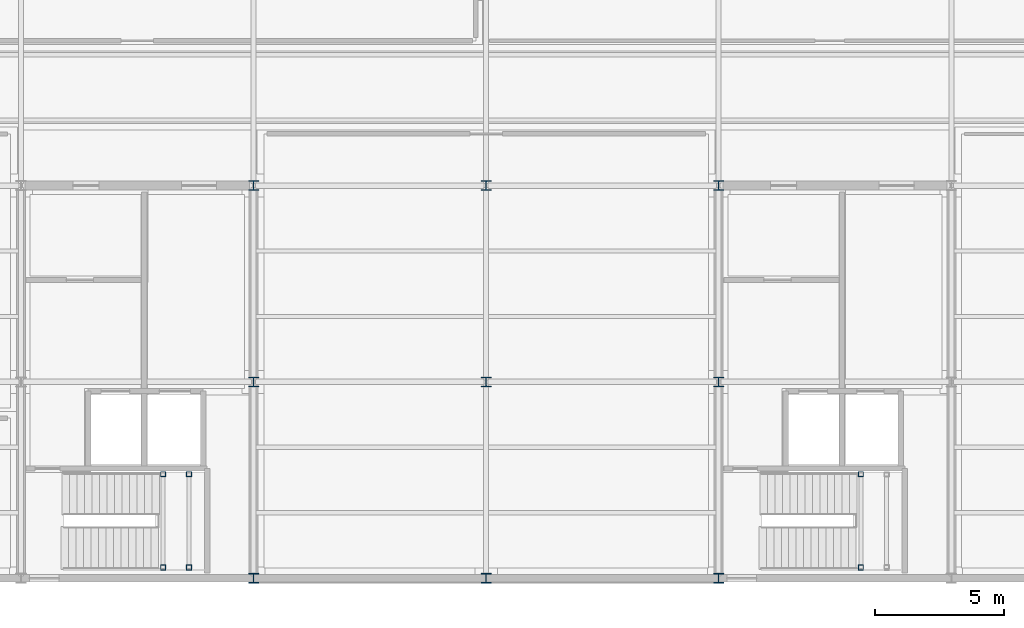
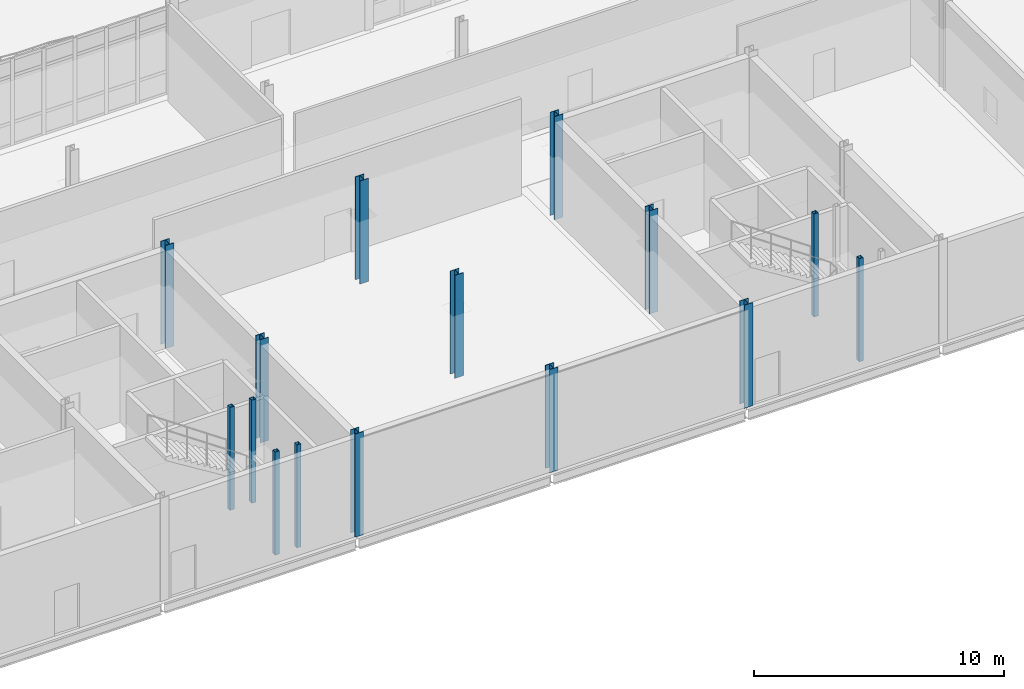
# One storey, part 10 of 161: 15 columns.
"""IFC4 building model written with IfcOpenShell, lengths in metres."""

from ifc_helpers import new_model, si_unit, direction, frame, origin, origin_2d, place, context, subcontext, project, spatial, hollow_rectangle, i_section, extrude, material, material_profile, profile_set, type_object, element, save


model = new_model("IFC4")

# Units and contexts
model_context = context("Model", 3, precision=1e-05, world=origin(), true_north=direction((0.0, 1.0)))
body_context = subcontext(model_context, "Body", "Model", "MODEL_VIEW")
ifc_project = project(units=[si_unit("LENGTHUNIT", "METRE"), si_unit("AREAUNIT", "SQUARE_METRE"), si_unit("VOLUMEUNIT", "CUBIC_METRE"), si_unit("PLANEANGLEUNIT", "RADIAN"), si_unit("MASSUNIT", "GRAM", prefix="KILO")], contexts=[model_context])

# Site, building, storey
site_placement = place(None, origin())
site = spatial("IfcSite", under=ifc_project, at=site_placement, CompositionType="ELEMENT")
building_placement = place(site_placement, origin())
building = spatial("IfcBuilding", under=site, at=building_placement, Name="Caisbarro Railhouse Central Library", CompositionType="ELEMENT")
storey_placement = place(building_placement, origin())
storey = spatial("IfcBuildingStorey", under=building, at=storey_placement, Name="L00", CompositionType="ELEMENT", Elevation=0.0)

# Columns
ifc_material = material(Name="Steel ASTM A572 Grade 50", Category="steel")
ifc_material_profile_1 = material_profile(ifc_material, i_section(OverallWidth=0.39404296875, OverallDepth=0.375, WebThickness=0.017333984375, FlangeThickness=0.027587890625, FilletRadius=0.01806640625, at=origin_2d()), Name="W360X216.0")
ifc_profile_set_1 = profile_set([ifc_material_profile_1], Name="Steel ASTM A572 Grade 50")
column_type_1 = type_object("IfcColumnType", Name="COL-C01", PredefinedType="COLUMN", material=ifc_profile_set_1)
for number, where, z_axis, x_axis, name in (
    (1, (72.0, 0.0, 0.0), (0.0, 0.0, 1.0), (1.0, 0.0, 0.0), "C01 column L00 (72.0,0.0)"),
    (2, (72.0, 7.60009765625, 0.0), (0.0, 0.0, 1.0), (1.0, 0.0, 0.0), "C01 column L00 (72.0,7.6)"),
    (3, (72.0, 15.199951171875, 0.0), (0.0, 0.0, 1.0), (1.0, 0.0, 0.0), "C01 column L00 (72.0,15.2)"),
    (4, (81.0, 0.0, 0.0), (0.0, 0.0, 1.0), (1.0, 0.0, 0.0), "C01 column L00 (81.0,0.0)"),
    (5, (81.0, 7.60009765625, 0.0), (0.0, 0.0, 1.0), (1.0, 0.0, 0.0), "C01 column L00 (81.0,7.6)"),
    (6, (81.0, 15.199951171875, 0.0), (0.0, 0.0, 1.0), (1.0, 0.0, 0.0), "C01 column L00 (81.0,15.2)"),
    (7, (90.0, 0.0, 0.0), (0.0, 0.0, 1.0), (1.0, 0.0, 0.0), "C01 column L00 (90.0,0.0)"),
    (8, (90.0, 7.60009765625, 0.0), (0.0, 0.0, 1.0), (1.0, 0.0, 0.0), "C01 column L00 (90.0,7.6)"),
    (9, (90.0, 15.199951171875, 0.0), (0.0, 0.0, 1.0), (1.0, 0.0, 0.0), "C01 column L00 (90.0,15.2)"),
):
    element("IfcColumn", number, at=place(storey_placement, frame(where, z_axis=z_axis, x_axis=x_axis)), inside=storey, type_object=column_type_1, Name=name, PredefinedType="COLUMN", context=body_context, shape_type="SweptSolid", body=[
        extrude(i_section(OverallWidth=0.39404296875, OverallDepth=0.375, WebThickness=0.017333984375, FlangeThickness=0.027587890625, FilletRadius=0.01806640625, at=origin_2d()), origin(), (0.0, 0.0, 1.0), 5.0400390625),
    ])
ifc_material_profile_2 = material_profile(ifc_material, hollow_rectangle(XDim=0.199951171875, YDim=0.199951171875, WallThickness=0.012451171875, at=origin_2d()), Name="HSS200X200X12.5")
ifc_profile_set_2 = profile_set([ifc_material_profile_2], Name="Steel ASTM A572 Grade 50")
column_type_2 = type_object("IfcColumnType", Name="COL-C10", PredefinedType="COLUMN", material=ifc_profile_set_2)
for number, where, z_axis, x_axis, name in (
    (10, (68.5, 0.419921875, 0.0), (0.0, 0.0, 1.0), (1.0, 0.0, 0.0), "C10 Stair Landing Post K1 L00.1"),
    (11, (68.5, 4.030029296875, 0.0), (0.0, 0.0, 1.0), (1.0, 0.0, 0.0), "C10 Stair Landing Post K1 L00.2"),
    (12, (69.5, 0.419921875, 0.0), (0.0, 0.0, 1.0), (1.0, 0.0, 0.0), "C10 Stair Landing Post K1 L00.3"),
    (13, (69.5, 4.030029296875, 0.0), (0.0, 0.0, 1.0), (1.0, 0.0, 0.0), "C10 Stair Landing Post K1 L00.4"),
    (14, (95.5, 0.419921875, 0.0), (0.0, 0.0, 1.0), (1.0, 0.0, 0.0), "C10 Stair Landing Post K2 L00.1"),
    (15, (95.5, 4.030029296875, 0.0), (0.0, 0.0, 1.0), (1.0, 0.0, 0.0), "C10 Stair Landing Post K2 L00.2"),
):
    element("IfcColumn", number, at=place(storey_placement, frame(where, z_axis=z_axis, x_axis=x_axis)), inside=storey, type_object=column_type_2, Name=name, PredefinedType="COLUMN", context=body_context, shape_type="SweptSolid", body=[
        extrude(hollow_rectangle(XDim=0.199951171875, YDim=0.199951171875, WallThickness=0.012451171875, at=origin_2d()), origin(), (0.0, 0.0, 1.0), 5.0400390625),
    ])

save(model, "model.ifc")
